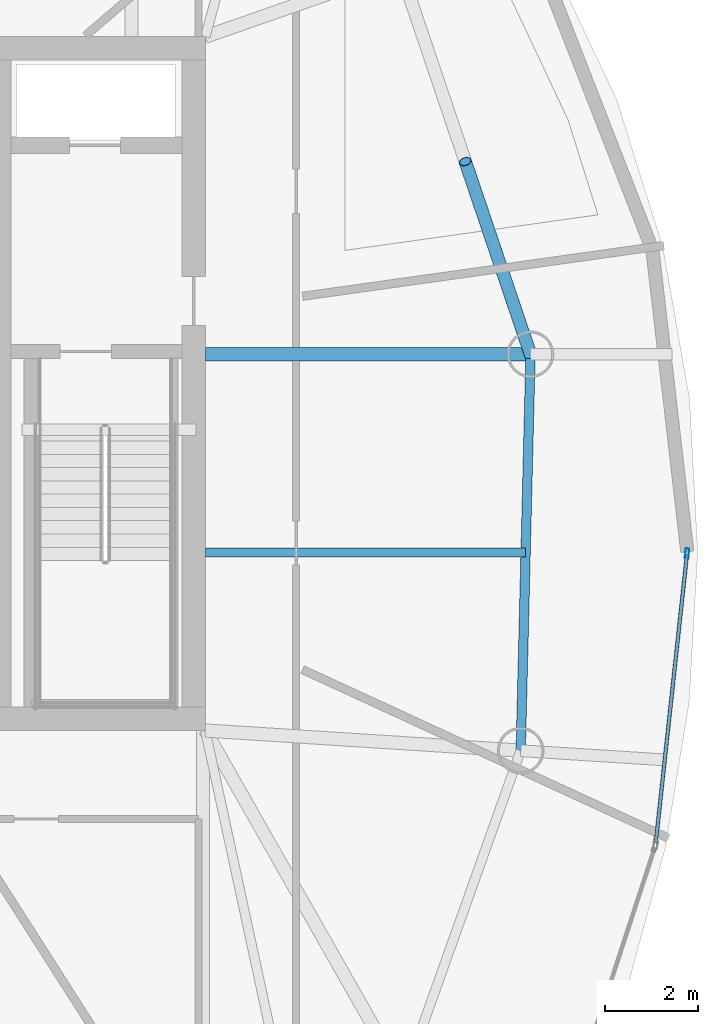
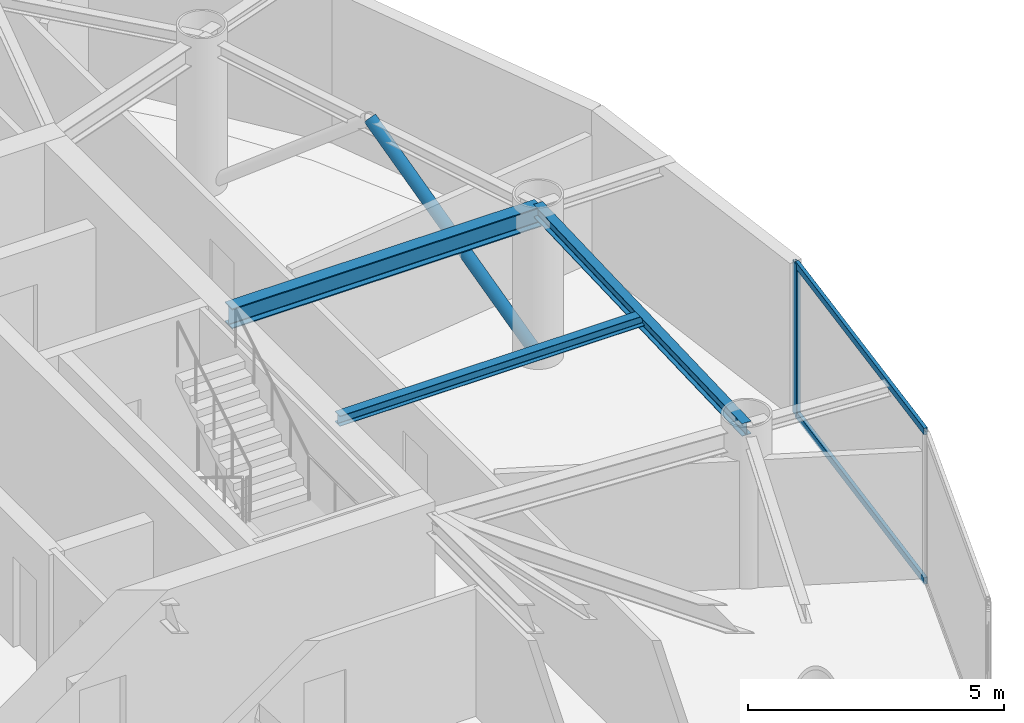
# One storey, part 9 of 20: 4 members, 3 beams, 1 element without a shape of its own.
"""IFC4 building model written with IfcOpenShell, lengths in metres."""

from ifc_helpers import new_model, si_unit, direction, frame, origin, origin_2d, place, context, subcontext, project, spatial, hollow_rectangle, hollow_circle, i_section, extrude, material, layer, layer_set, material_profile, profile_set, type_object, element, aggregate, save


model = new_model("IFC4")

# Units and contexts
model_context = context("Model", 3, precision=1e-05, world=origin(), true_north=direction((0.0, 1.0)))
body_context = subcontext(model_context, "Body", "Model", "MODEL_VIEW")
ifc_project = project(units=[si_unit("LENGTHUNIT", "METRE"), si_unit("AREAUNIT", "SQUARE_METRE"), si_unit("VOLUMEUNIT", "CUBIC_METRE"), si_unit("PLANEANGLEUNIT", "RADIAN"), si_unit("MASSUNIT", "GRAM", prefix="KILO")], contexts=[model_context])

# Site, building, storey
site_placement = place(None, origin())
site = spatial("IfcSite", under=ifc_project, at=site_placement, CompositionType="ELEMENT")
building_placement = place(site_placement, origin())
building = spatial("IfcBuilding", under=site, at=building_placement, Name="Bramvorn Convention Spire", CompositionType="ELEMENT")
storey_placement = place(building_placement, frame((0.0, 0.0, 276.699951171875)))
storey = spatial("IfcBuildingStorey", under=building, at=storey_placement, Name="L70", CompositionType="ELEMENT", Elevation=276.699951171875)

# Beams
ifc_material_1 = material(Name="Steel CSA G40.21 Grade 350 (350W)", Category="steel")
ifc_material_profile_1 = material_profile(ifc_material_1, i_section(OverallWidth=0.201904296875, OverallDepth=0.2470703125, WebThickness=0.00732421875, FlangeThickness=0.010986328125, FilletRadius=0.011962890625, at=origin_2d()))
ifc_profile_set_1 = profile_set([ifc_material_profile_1], Name="Steel CSA G40.21 Grade 350 (350W) - W250X49")
beam_type_1 = type_object("IfcBeamType", Name="BM-W250X49", PredefinedType="JOIST", material=ifc_profile_set_1)
beam_1_placement = place(storey_placement, frame((49.25, 22.373046875, 3.50146484375), z_axis=(1.0, 0.0, 0.0), x_axis=(0.0, 1.0, 0.0)))
element("IfcBeam", 1, at=beam_1_placement, inside=storey, type_object=beam_type_1, Name="L70 composite floor joist 03", PredefinedType="JOIST", context=body_context, shape_type="SweptSolid", body=[
    extrude(i_section(OverallWidth=0.201904296875, OverallDepth=0.2470703125, WebThickness=0.00732421875, FlangeThickness=0.010986328125, FilletRadius=0.011962890625, at=origin_2d()), origin(), (0.0, 0.0, 1.0), 6.879150390625),
])
ifc_material_profile_2 = material_profile(ifc_material_1, i_section(OverallWidth=0.202880859375, OverallDepth=0.302978515625, WebThickness=0.007568359375, FlangeThickness=0.01318359375, FilletRadius=0.013916015625, at=origin_2d()))
ifc_profile_set_2 = profile_set([ifc_material_profile_2], Name="Steel CSA G40.21 Grade 350 (350W) - W310X60")
beam_type_2 = type_object("IfcBeamType", Name="BM-W310X60", PredefinedType="JOIST", material=ifc_profile_set_2)
beam_2_placement = place(storey_placement, frame((56.023681640625, 18.116455078125, 3.4736328125), z_axis=(0.024770853371, 0.999693155335, 0.0), x_axis=(-0.999693155335, 0.024770853371, 0.0)))
element("IfcBeam", 2, at=beam_2_placement, inside=storey, type_object=beam_type_2, Name="L70 mega-column ring beam 03", PredefinedType="JOIST", context=body_context, shape_type="SweptSolid", body=[
    extrude(i_section(OverallWidth=0.202880859375, OverallDepth=0.302978515625, WebThickness=0.007568359375, FlangeThickness=0.01318359375, FilletRadius=0.013916015625, at=origin_2d()), origin(), (0.0, 0.0, 1.0), 8.515625),
])
ifc_material_profile_3 = material_profile(ifc_material_1, i_section(OverallWidth=0.283935546875, OverallDepth=0.47607421875, WebThickness=0.014892578125, FlangeThickness=0.02392578125, FilletRadius=0.01806640625, at=origin_2d()))
ifc_profile_set_3 = profile_set([ifc_material_profile_3], Name="Steel CSA G40.21 Grade 350 (350W) - W460X158")
beam_type_3 = type_object("IfcBeamType", Name="BM-W460X158", PredefinedType="SPANDREL", material=ifc_profile_set_3)
beam_3_placement = place(storey_placement, frame((49.25, 26.62939453125, 3.386962890625), z_axis=(1.0, 0.0, 0.0), x_axis=(0.0, 1.0, 0.0)))
element("IfcBeam", 3, at=beam_3_placement, inside=storey, type_object=beam_type_3, Name="L70 radial floor girder MC04", PredefinedType="SPANDREL", context=body_context, shape_type="SweptSolid", body=[
    extrude(i_section(OverallWidth=0.283935546875, OverallDepth=0.47607421875, WebThickness=0.014892578125, FlangeThickness=0.02392578125, FilletRadius=0.01806640625, at=origin_2d()), origin(), (0.0, 0.0, 1.0), 6.984619140625),
])

# Curtain wall, members
ifc_material_2 = material(Name="Anodised Bronze Unitised Curtain Wall", Category="aluminium")
ifc_layer = layer(ifc_material_2, 0.179931640625)
ifc_layer_set = layer_set([ifc_layer], Name="Anodised Bronze Unitised Curtain Wall - CW-OFF-FRIT")
curtain_wall_type = type_object("IfcCurtainWallType", Name="CW-OFF-FRIT", PredefinedType="USERDEFINED", material=ifc_layer_set)
curtain_wall_placement = place(storey_placement, origin())
curtain_wall = element("IfcCurtainWall", 4, at=curtain_wall_placement, inside=storey, type_object=curtain_wall_type, Name="L70 fritted glass curtain wall 04", ObjectType="UNITISED CURTAIN WALL", PredefinedType="USERDEFINED")
ifc_material_3 = material(Name="Anodised Bronze Aluminium 6063-T6", Category="aluminium")
ifc_material_profile_4 = material_profile(ifc_material_3, hollow_rectangle(XDim=0.080078125, YDim=0.199951171875, WallThickness=0.00390625, InnerFilletRadius=0.0009765625, OuterFilletRadius=0.00390625, at=origin_2d()))
ifc_profile_set_4 = profile_set([ifc_material_profile_4], Name="Anodised Bronze Aluminium 6063-T6 - CWM80X200")
member_type_1 = type_object("IfcMemberType", Name="CW-MUL-180", PredefinedType="MULLION", material=ifc_profile_set_4)
member_1_placement = place(storey_placement, frame((59.597900390625, 22.359619140625, 0.0), z_axis=(0.0, 0.0, 1.0), x_axis=(0.994190012257, -0.107639302901, 0.0)))
member_1 = element("IfcMember", 5, at=member_1_placement, type_object=member_type_1, Name="CW3 mullion 1", PredefinedType="MULLION", context=body_context, shape_type="SweptSolid", body=[
    extrude(hollow_rectangle(XDim=0.080078125, YDim=0.199951171875, WallThickness=0.00390625, InnerFilletRadius=0.0009765625, OuterFilletRadius=0.00390625, at=origin_2d()), origin(), (0.0, 0.0, 1.0), 3.625),
])
ifc_material_profile_5 = material_profile(ifc_material_3, hollow_rectangle(XDim=0.080078125, YDim=0.159912109375, WallThickness=0.00390625, InnerFilletRadius=0.0009765625, OuterFilletRadius=0.00390625, at=origin_2d()))
ifc_profile_set_5 = profile_set([ifc_material_profile_5], Name="Anodised Bronze Aluminium 6063-T6 - CWT80X160")
member_type_2 = type_object("IfcMemberType", Name="CW-TRN-150", PredefinedType="USERDEFINED", material=ifc_profile_set_5)
member_2_placement = place(storey_placement, frame((59.5947265625, 22.329833984375, 0.030029296875), z_axis=(-0.107654714128, -0.994188343588, 0.0), x_axis=(0.994188343588, -0.107654714128, 0.0)))
member_2 = element("IfcMember", 6, at=member_2_placement, type_object=member_type_2, Name="CW3 transom 1.1", ObjectType="TRANSOM", PredefinedType="USERDEFINED", context=body_context, shape_type="SweptSolid", body=[
    extrude(hollow_rectangle(XDim=0.080078125, YDim=0.159912109375, WallThickness=0.00390625, InnerFilletRadius=0.0009765625, OuterFilletRadius=0.00390625, at=origin_2d()), origin(), (0.0, 0.0, 1.0), 6.22509765625),
])
member_3_placement = place(storey_placement, frame((59.5947265625, 22.329833984375, 3.594970703125), z_axis=(-0.107654714128, -0.994188343588, 0.0), x_axis=(0.994188343588, -0.107654714128, 0.0)))
member_3 = element("IfcMember", 7, at=member_3_placement, type_object=member_type_2, Name="CW3 transom 1.2", ObjectType="TRANSOM", PredefinedType="USERDEFINED", context=body_context, shape_type="SweptSolid", body=[
    extrude(hollow_rectangle(XDim=0.080078125, YDim=0.159912109375, WallThickness=0.00390625, InnerFilletRadius=0.0009765625, OuterFilletRadius=0.00390625, at=origin_2d()), origin(), (0.0, 0.0, 1.0), 6.22509765625),
])
aggregate(curtain_wall, [member_1, member_2, member_3])

# Member
ifc_material_profile_6 = material_profile(ifc_material_1, hollow_circle(Radius=0.136474609375, WallThickness=0.0126953125, at=origin_2d()))
ifc_profile_set_6 = profile_set([ifc_material_profile_6], Name="Steel CSA G40.21 Grade 350 (350W) - CHS273X13")
member_type_3 = type_object("IfcMemberType", Name="MBR-CHS273X13", PredefinedType="BRACE", material=ifc_profile_set_6)
member_4_placement = place(storey_placement, frame((56.234619140625, 26.62939453125, 0.0), z_axis=(-0.246737306961, 0.729119705305, 0.638361305759), x_axis=(-0.947232407912, -0.320547602394, 0.0)))
element("IfcMember", 8, at=member_4_placement, inside=storey, type_object=member_type_3, Name="L70 perimeter Gothic lancet brace 4A", PredefinedType="BRACE", context=body_context, shape_type="SweptSolid", body=[
    extrude(hollow_circle(Radius=0.136474609375, WallThickness=0.0126953125, at=origin_2d()), origin(), (0.0, 0.0, 1.0), 5.6787109375),
])

save(model, "model.ifc")
